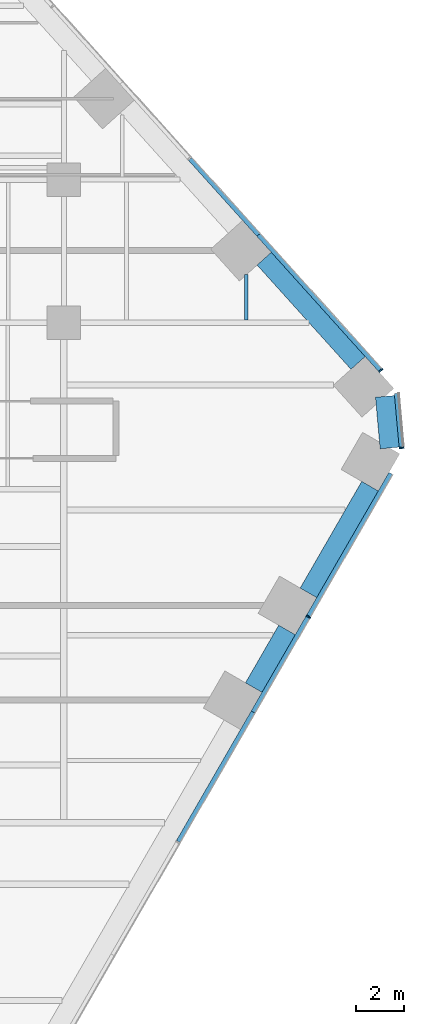
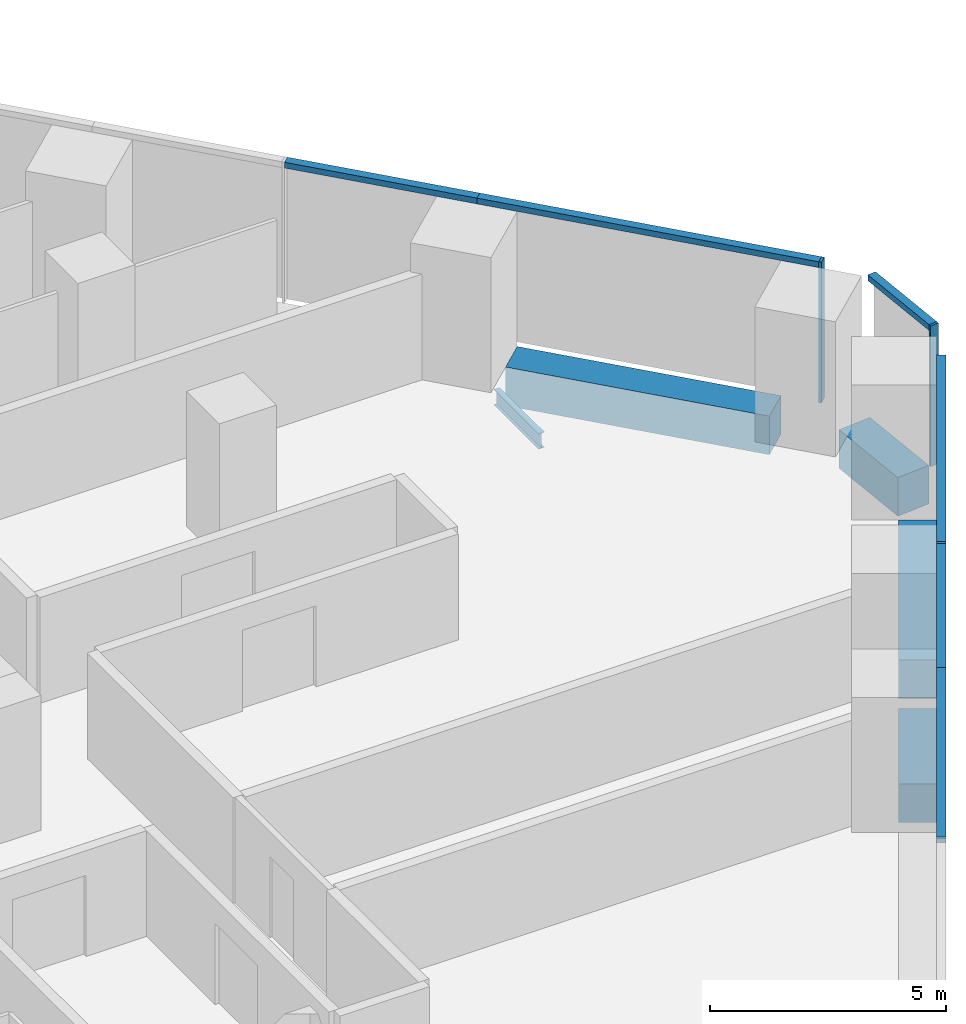
# One storey, part 11 of 21: 9 members, 5 beams, 3 elements without a shape of their own.
"""IFC4 building model written with IfcOpenShell, lengths in metres."""

from ifc_helpers import new_model, si_unit, direction, frame, origin, origin_2d, place, context, subcontext, project, spatial, rectangle, i_section, extrude, material, layer, layer_set, material_profile, profile_set, type_object, element, aggregate, save


model = new_model("IFC4")

# Units and contexts
model_context = context("Model", 3, precision=1e-05, world=origin(), true_north=direction((0.0, 1.0)))
body_context = subcontext(model_context, "Body", "Model", "MODEL_VIEW")
ifc_project = project(units=[si_unit("LENGTHUNIT", "METRE"), si_unit("AREAUNIT", "SQUARE_METRE"), si_unit("VOLUMEUNIT", "CUBIC_METRE"), si_unit("PLANEANGLEUNIT", "RADIAN"), si_unit("MASSUNIT", "GRAM", prefix="KILO")], contexts=[model_context])

# Site, building, storey
site_placement = place(None, origin())
site = spatial("IfcSite", under=ifc_project, at=site_placement, CompositionType="ELEMENT")
building_placement = place(site_placement, origin())
building = spatial("IfcBuilding", under=site, at=building_placement, Name="Isthmus Gate Tower", CompositionType="ELEMENT")
storey_placement = place(building_placement, frame((0.0, 0.0, 46.949951171875)))
storey = spatial("IfcBuildingStorey", under=building, at=storey_placement, Name="L09", CompositionType="ELEMENT", Elevation=46.949951171875)

# Curtain wall, member
ifc_material_1 = material(Name="Aluminium, pale champagne anodised", Category="aluminium")
ifc_layer = layer(ifc_material_1, 0.199951171875)
ifc_layer_set = layer_set([ifc_layer], Name="CW-1 UNITISED CURTAIN WALL 200 DEEP")
curtain_wall_type = type_object("IfcCurtainWallType", Name="CW-1 UNITISED CURTAIN WALL 200 DEEP", PredefinedType="NOTDEFINED", material=ifc_layer_set)
curtain_wall_1_placement = place(storey_placement, origin())
curtain_wall_1 = element("IfcCurtainWall", 1, at=curtain_wall_1_placement, inside=storey, type_object=curtain_wall_type, Name="CW-1 SE L09", PredefinedType="NOTDEFINED")
ifc_material_2 = material(Name="Aluminium, pale champagne anodised", Category="aluminium")
ifc_material_profile_1 = material_profile(ifc_material_2, rectangle(XDim=0.06005859375, YDim=0.199951171875, at=origin_2d()), Name="60x200")
ifc_profile_set_1 = profile_set([ifc_material_profile_1], Name="Aluminium, pale champagne anodised")
member_type_1 = type_object("IfcMemberType", Name="CW-1 MULLION 60 X 200", PredefinedType="MULLION", material=ifc_profile_set_1)
member_1_placement = place(storey_placement, frame((34.267822265625, -4.846435546875, 0.0), z_axis=(0.0, 0.0, 1.0), x_axis=(0.5, 0.866025403784, 0.0)))
member_1 = element("IfcMember", 2, at=member_1_placement, type_object=member_type_1, Name="CW-1 mullion", PredefinedType="MULLION", context=body_context, shape_type="SweptSolid", body=[
    extrude(rectangle(XDim=0.06005859375, YDim=0.199951171875, at=origin_2d()), origin(), (0.0, 0.0, 1.0), 3.650146484375),
])

curtain_wall_2_placement = place(storey_placement, origin())
curtain_wall_2 = element("IfcCurtainWall", 3, at=curtain_wall_2_placement, inside=storey, type_object=curtain_wall_type, Name="CW-1 SE-NE L09", PredefinedType="NOTDEFINED")
member_2_placement = place(storey_placement, frame((38.178955078125, 2.24169921875, 0.0), z_axis=(0.0, 0.0, 1.0), x_axis=(-0.089396669717, 0.995996102123, 0.0)))
member_2 = element("IfcMember", 4, at=member_2_placement, type_object=member_type_1, Name="CW-1 mullion", PredefinedType="MULLION", context=body_context, shape_type="SweptSolid", body=[
    extrude(rectangle(XDim=0.06005859375, YDim=0.199951171875, at=origin_2d()), origin(), (0.0, 0.0, 1.0), 3.650146484375),
])

curtain_wall_3_placement = place(storey_placement, origin())
curtain_wall_3 = element("IfcCurtainWall", 5, at=curtain_wall_3_placement, inside=storey, type_object=curtain_wall_type, Name="CW-1 NE L09", PredefinedType="NOTDEFINED")
member_3_placement = place(storey_placement, frame((37.306640625, 5.494384765625, 0.0), z_axis=(0.0, 0.0, 1.0), x_axis=(-0.669130606359, 0.743144825477, 0.0)))
member_3 = element("IfcMember", 6, at=member_3_placement, type_object=member_type_1, Name="CW-1 mullion", PredefinedType="MULLION", context=body_context, shape_type="SweptSolid", body=[
    extrude(rectangle(XDim=0.06005859375, YDim=0.199951171875, at=origin_2d()), origin(), (0.0, 0.0, 1.0), 3.650146484375),
])

# Member
ifc_material_3 = material(Name="Aluminium, pale champagne anodised", Category="aluminium")
ifc_material_profile_2 = material_profile(ifc_material_3, rectangle(XDim=0.199951171875, YDim=0.14990234375, at=origin_2d()), Name="200x150")
ifc_profile_set_2 = profile_set([ifc_material_profile_2], Name="Aluminium, pale champagne anodised")
member_type_2 = type_object("IfcMemberType", Name="CW-1 TRANSOM 200 X 150", PredefinedType="USERDEFINED", material=ifc_profile_set_2)
member_4_placement = place(storey_placement, frame((28.817138671875, -14.287353515625, 3.574951171875), z_axis=(0.499995104884, 0.866028229963, 0.0), x_axis=(-0.866028229963, 0.499995104884, 0.0)))
member_4 = element("IfcMember", 7, at=member_4_placement, type_object=member_type_2, Name="CW-1 transom", ObjectType="TRANSOM", PredefinedType="USERDEFINED", context=body_context, shape_type="SweptSolid", body=[
    extrude(rectangle(XDim=0.199951171875, YDim=0.14990234375, at=origin_2d()), origin(), (0.0, 0.0, 1.0), 6.2783203125),
])

member_5_placement = place(storey_placement, frame((31.956298828125, -8.85009765625, 3.574951171875), z_axis=(0.499992401796, 0.866029790565, 0.0), x_axis=(-0.866029790565, 0.499992401796, 0.0)))
member_5 = element("IfcMember", 8, at=member_5_placement, type_object=member_type_2, Name="CW-1 transom", ObjectType="TRANSOM", PredefinedType="USERDEFINED", context=body_context, shape_type="SweptSolid", body=[
    extrude(rectangle(XDim=0.199951171875, YDim=0.14990234375, at=origin_2d()), origin(), (0.0, 0.0, 1.0), 4.5927734375),
])

member_6_placement = place(storey_placement, frame((34.28271484375, -4.820556640625, 3.574951171875), z_axis=(0.500003839917, 0.866023186796, 0.0), x_axis=(-0.866023186796, 0.500003839917, 0.0)))
member_6 = element("IfcMember", 9, at=member_6_placement, type_object=member_type_2, Name="CW-1 transom", ObjectType="TRANSOM", PredefinedType="USERDEFINED", context=body_context, shape_type="SweptSolid", body=[
    extrude(rectangle(XDim=0.199951171875, YDim=0.14990234375, at=origin_2d()), origin(), (0.0, 0.0, 1.0), 6.90966796875),
])

aggregate(curtain_wall_1, [member_4, member_5, member_1, member_6])

member_7_placement = place(storey_placement, frame((38.17626953125, 2.271728515625, 3.574951171875), z_axis=(-0.089395362867, 0.995996219419, 0.0), x_axis=(-0.995996219419, -0.089395362867, 0.0)))
member_7 = element("IfcMember", 10, at=member_7_placement, type_object=member_type_2, Name="CW-1 transom", ObjectType="TRANSOM", PredefinedType="USERDEFINED", context=body_context, shape_type="SweptSolid", body=[
    extrude(rectangle(XDim=0.199951171875, YDim=0.14990234375, at=origin_2d()), origin(), (0.0, 0.0, 1.0), 2.258544921875),
])

aggregate(curtain_wall_2, [member_2, member_7])

member_8_placement = place(storey_placement, frame((37.28662109375, 5.5166015625, 3.574951171875), z_axis=(-0.66912913739, 0.74314614814, 0.0), x_axis=(-0.74314614814, -0.66912913739, 0.0)))
member_8 = element("IfcMember", 11, at=member_8_placement, type_object=member_type_2, Name="CW-1 transom", ObjectType="TRANSOM", PredefinedType="USERDEFINED", context=body_context, shape_type="SweptSolid", body=[
    extrude(rectangle(XDim=0.199951171875, YDim=0.14990234375, at=origin_2d()), origin(), (0.0, 0.0, 1.0), 7.62939453125),
])

member_9_placement = place(storey_placement, frame((32.181640625, 11.186279296875, 3.574951171875), z_axis=(-0.669131169216, 0.743144318678, 0.0), x_axis=(-0.743144318678, -0.669131169216, 0.0)))
member_9 = element("IfcMember", 12, at=member_9_placement, type_object=member_type_2, Name="CW-1 transom", ObjectType="TRANSOM", PredefinedType="USERDEFINED", context=body_context, shape_type="SweptSolid", body=[
    extrude(rectangle(XDim=0.199951171875, YDim=0.14990234375, at=origin_2d()), origin(), (0.0, 0.0, 1.0), 4.294677734375),
])

aggregate(curtain_wall_3, [member_3, member_8, member_9])

# Beams
ifc_material_4 = material(Name="Concrete f'c 70 MPa", Category="concrete")
ifc_material_profile_3 = material_profile(ifc_material_4, rectangle(XDim=0.800048828125, YDim=1.0, at=origin_2d()), Name="RC 800X1000")
ifc_profile_set_3 = profile_set([ifc_material_profile_3], Name="Concrete f'c 70 MPa")
beam_type_1 = type_object("IfcBeamType", Name="RC SPANDREL 800 X 1000", PredefinedType="SPANDREL", material=ifc_profile_set_3)
beam_1_placement = place(storey_placement, frame((32.412353515625, 10.182861328125, -0.5), z_axis=(0.669138782017, -0.743137464001, 0.0), x_axis=(0.743137464001, 0.669138782017, 0.0)))
element("IfcBeam", 13, at=beam_1_placement, inside=storey, type_object=beam_type_1, Name="str-spandrel-L09-04", PredefinedType="SPANDREL", context=body_context, shape_type="SweptSolid", body=[
    extrude(rectangle(XDim=0.800048828125, YDim=1.0, at=origin_2d()), origin(), (0.0, 0.0, 1.0), 5.88916015625),
])
beam_2_placement = place(storey_placement, frame((37.483154296875, 4.40185546875, -0.5), z_axis=(0.089421511639, -0.995993872098, 0.0), x_axis=(0.995993872098, 0.089421511639, 0.0)))
element("IfcBeam", 14, at=beam_2_placement, inside=storey, type_object=beam_type_1, Name="str-spandrel-L09-05", PredefinedType="SPANDREL", context=body_context, shape_type="SweptSolid", body=[
    extrude(rectangle(XDim=0.800048828125, YDim=1.0, at=origin_2d()), origin(), (0.0, 0.0, 1.0), 2.17333984375),
])
beam_3_placement = place(storey_placement, frame((36.8544921875, 0.6337890625, -0.5), z_axis=(-0.50000453793, -0.866022783793, 0.0), x_axis=(0.866022783793, -0.50000453793, 0.0)))
element("IfcBeam", 15, at=beam_3_placement, inside=storey, type_object=beam_type_1, Name="str-spandrel-L09-06", PredefinedType="SPANDREL", context=body_context, shape_type="SweptSolid", body=[
    extrude(rectangle(XDim=0.800048828125, YDim=1.0, at=origin_2d()), origin(), (0.0, 0.0, 1.0), 5.16943359375),
])
beam_4_placement = place(storey_placement, frame((33.369873046875, -5.40185546875, -0.5), z_axis=(-0.500012514453, -0.866018178441, 0.0), x_axis=(0.866018178441, -0.500012514453, 0.0)))
element("IfcBeam", 16, at=beam_4_placement, inside=storey, type_object=beam_type_1, Name="str-spandrel-L09-07", PredefinedType="SPANDREL", context=body_context, shape_type="SweptSolid", body=[
    extrude(rectangle(XDim=0.800048828125, YDim=1.0, at=origin_2d()), origin(), (0.0, 0.0, 1.0), 2.79296875),
])
ifc_material_5 = material(Name="Structural steel ASTM A992 Gr 50", Category="steel")
ifc_material_profile_4 = material_profile(ifc_material_5, i_section(OverallWidth=0.1396484375, OverallDepth=0.4033203125, WebThickness=0.00634765625, FlangeThickness=0.010986328125, at=origin_2d()), Name="W16X31")
ifc_profile_set_4 = profile_set([ifc_material_profile_4], Name="Structural steel ASTM A992 Gr 50")
beam_type_2 = type_object("IfcBeamType", Name="STEEL FLOOR BEAM W16X31", PredefinedType="JOIST", material=ifc_profile_set_4)
beam_5_placement = place(storey_placement, frame((31.666259765625, 7.6142578125, -0.3515625), z_axis=(0.0, 1.0, 0.0), x_axis=(-1.0, 0.0, 0.0)))
element("IfcBeam", 17, at=beam_5_placement, inside=storey, type_object=beam_type_2, Name="str-beam-L09-33-01", PredefinedType="JOIST", context=body_context, shape_type="SweptSolid", body=[
    extrude(i_section(OverallWidth=0.1396484375, OverallDepth=0.4033203125, WebThickness=0.00634765625, FlangeThickness=0.010986328125, at=origin_2d()), origin(), (0.0, 0.0, 1.0), 1.89697265625),
])

save(model, "model.ifc")
